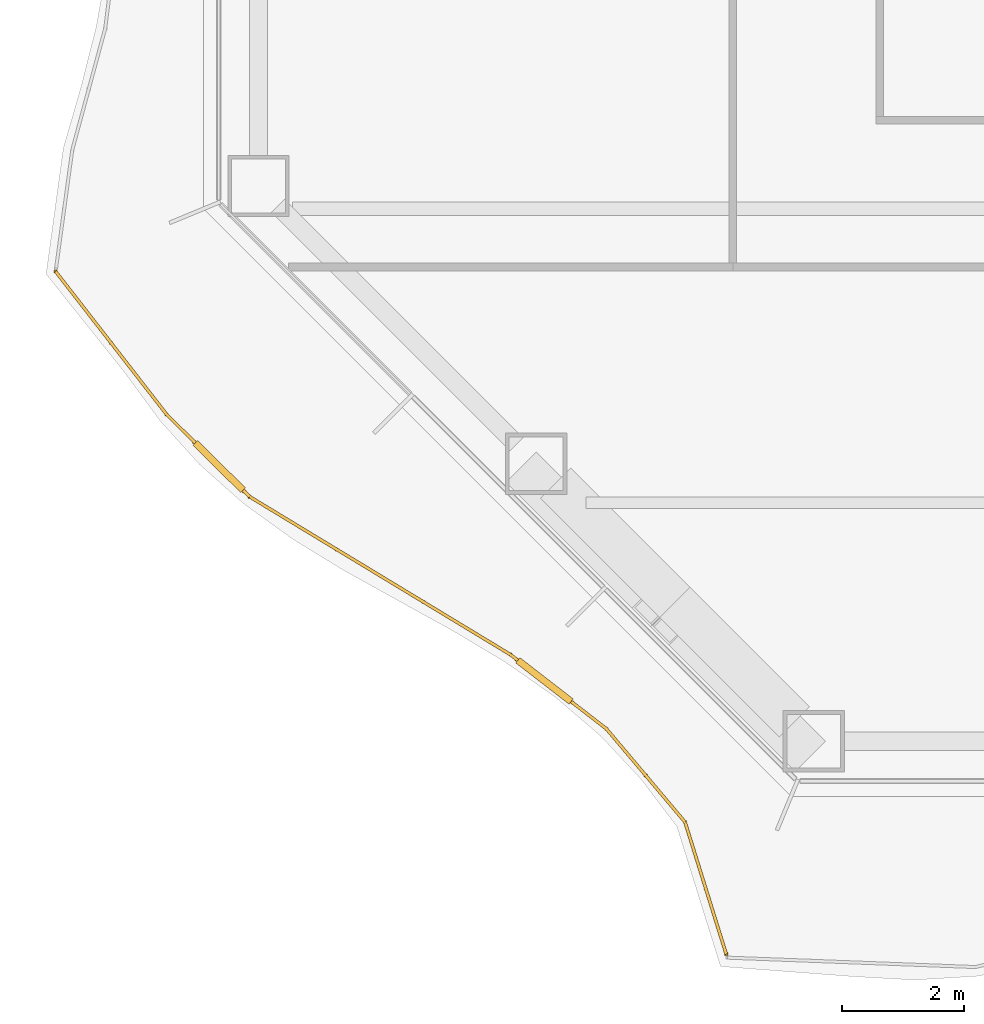
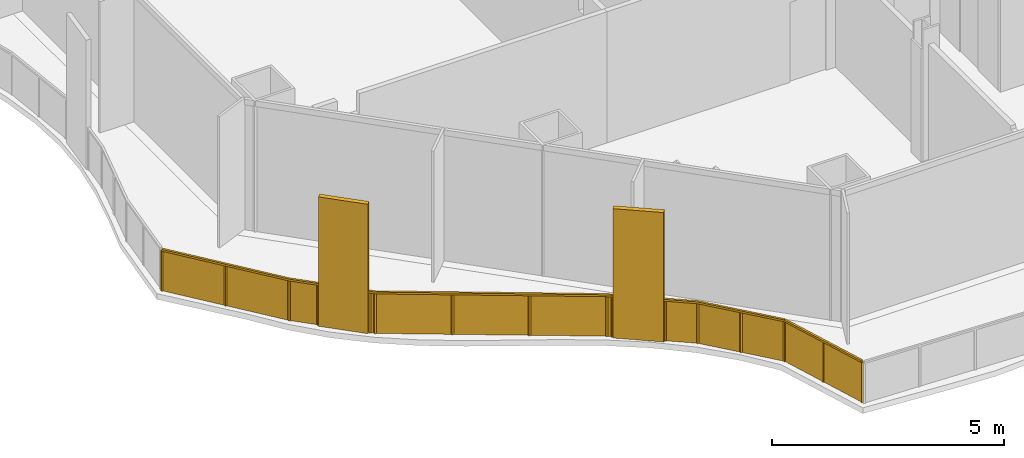
# One storey, part 15 of 21: 1 railing.
"""IFC4 building model written with IfcOpenShell, lengths in metres."""

from ifc_helpers import new_model, si_unit, direction, frame, origin, origin_2d, place, context, subcontext, project, spatial, polyline, rectangle, outline, extrude, material, type_object, element, save


model = new_model("IFC4")

# Units and contexts
model_context = context("Model", 3, precision=1e-05, world=origin(), true_north=direction((0.0, 1.0)))
body_context = subcontext(model_context, "Body", "Model", "MODEL_VIEW")
ifc_project = project(units=[si_unit("LENGTHUNIT", "METRE"), si_unit("AREAUNIT", "SQUARE_METRE"), si_unit("VOLUMEUNIT", "CUBIC_METRE"), si_unit("PLANEANGLEUNIT", "RADIAN"), si_unit("MASSUNIT", "GRAM", prefix="KILO")], contexts=[model_context])

# Site, building, storey
site_placement = place(None, origin())
site = spatial("IfcSite", under=ifc_project, at=site_placement, CompositionType="ELEMENT")
building_placement = place(site_placement, origin())
building = spatial("IfcBuilding", under=site, at=building_placement, Name="Cairn Pilgrim Tower", CompositionType="ELEMENT")
storey_placement = place(building_placement, frame((0.0, 0.0, 47.39990234375)))
storey = spatial("IfcBuildingStorey", under=building, at=storey_placement, Name="L09", CompositionType="ELEMENT", Elevation=47.39990234375)

# Railing
ifc_material = material(Name="Bronze anodised aluminium rail, posts and fin screens with laminated glass infill", Category="aluminium")
railing_type = type_object("IfcRailingType", Name="BALCONY GUARD WITH FIN SCREENS", PredefinedType="GUARDRAIL", material=ifc_material)
railing_placement = place(storey_placement, frame((-31.214599609375, -15.423095703125, 0.0)))
element("IfcRailing", 1, at=railing_placement, inside=storey, type_object=railing_type, Name="Balcony guard BGF-8 with fin screens", PredefinedType="GUARDRAIL", context=body_context, shape_type="SweptSolid", body=[
    extrude(rectangle(XDim=0.050048828125, YDim=0.050048828125, at=origin_2d()), frame((0.0, 0.0, 1.0751953125), z_axis=(0.613133997778, -0.789978924256, 0.0), x_axis=(0.789978924256, 0.613133997778, 0.0)), (0.0, 0.0, 1.0), 2.955810546875),
    extrude(rectangle(XDim=1.10009765625, YDim=0.110107421875, at=origin_2d()), frame((2.673095703125, -3.188232421875, 0.0), z_axis=(0.0, 0.0, 1.0), x_axis=(0.710228338372, -0.703971382496, 0.0)), (0.0, 0.0, 1.0), 3.39990234375),
    extrude(rectangle(XDim=0.050048828125, YDim=0.050048828125, at=origin_2d()), frame((1.812255859375, -2.3349609375, 1.0751953125), z_axis=(0.710228338372, -0.703971382496, 0.0), x_axis=(0.703971382496, 0.710228338372, 0.0)), (0.0, 0.0, 1.0), 0.661865234375),
    extrude(rectangle(XDim=0.050048828125, YDim=0.050048828125, at=origin_2d()), frame((3.063720703125, -3.575439453125, 1.0751953125), z_axis=(0.710228338372, -0.703971382496, 0.0), x_axis=(0.703971382496, 0.710228338372, 0.0)), (0.0, 0.0, 1.0), 0.14990234375),
    extrude(rectangle(XDim=0.050048828125, YDim=0.050048828125, at=origin_2d()), frame((3.170166015625, -3.680908203125, 1.0751953125), z_axis=(0.855437254215, -0.517906462694, 0.0), x_axis=(0.517906462694, 0.855437254215, 0.0)), (0.0, 0.0, 1.0), 4.983642578125),
    extrude(rectangle(XDim=1.10009765625, YDim=0.110107421875, at=origin_2d()), frame((7.987060546875, -6.690185546875, 0.0), z_axis=(0.0, 0.0, 1.0), x_axis=(0.791049005834, -0.611752785338, 0.0)), (0.0, 0.0, 1.0), 3.39990234375),
    extrude(rectangle(XDim=0.050048828125, YDim=0.050048828125, at=origin_2d()), frame((7.433349609375, -6.261962890625, 1.0751953125), z_axis=(0.791049005834, -0.611752785338, 0.0), x_axis=(0.611752785338, 0.791049005834, 0.0)), (0.0, 0.0, 1.0), 0.150146484375),
    extrude(rectangle(XDim=0.050048828125, YDim=0.050048828125, at=origin_2d()), frame((8.42236328125, -7.026611328125, 1.0751953125), z_axis=(0.791049005834, -0.611752785338, 0.0), x_axis=(0.611752785338, 0.791049005834, 0.0)), (0.0, 0.0, 1.0), 0.729736328125),
    extrude(rectangle(XDim=0.050048828125, YDim=0.050048828125, at=origin_2d()), frame((8.99951171875, -7.47314453125, 1.0751953125), z_axis=(0.644524239242, -0.76458387704, 0.0), x_axis=(0.76458387704, 0.644524239242, 0.0)), (0.0, 0.0, 1.0), 1.992919921875),
    extrude(rectangle(XDim=0.050048828125, YDim=0.050048828125, at=origin_2d()), frame((10.283935546875, -8.996826171875, 1.0751953125), z_axis=(0.297758203011, -0.954641321408, 0.0), x_axis=(0.954641321408, 0.297758203011, 0.0)), (0.0, 0.0, 1.0), 2.259765625),
    extrude(rectangle(XDim=0.050048828125, YDim=0.050048828125, at=origin_2d()), origin(), (0.0, 0.0, 1.0), 1.050048828125),
    extrude(rectangle(XDim=0.050048828125, YDim=0.050048828125, at=origin_2d()), frame((0.90625, -1.16748046875, 0.0)), (0.0, 0.0, 1.0), 1.050048828125),
    extrude(rectangle(XDim=0.050048828125, YDim=0.050048828125, at=origin_2d()), frame((1.812255859375, -2.3349609375, 0.0)), (0.0, 0.0, 1.0), 1.050048828125),
    extrude(rectangle(XDim=0.050048828125, YDim=0.050048828125, at=origin_2d()), frame((2.2646484375, -2.783447265625, 0.0)), (0.0, 0.0, 1.0), 1.050048828125),
    extrude(rectangle(XDim=0.050048828125, YDim=0.050048828125, at=origin_2d()), frame((3.08154296875, -3.593017578125, 0.0)), (0.0, 0.0, 1.0), 1.050048828125),
    extrude(rectangle(XDim=0.050048828125, YDim=0.050048828125, at=origin_2d()), frame((3.170166015625, -3.680908203125, 0.0)), (0.0, 0.0, 1.0), 1.050048828125),
    extrude(rectangle(XDim=0.050048828125, YDim=0.050048828125, at=origin_2d()), frame((4.59130859375, -4.541259765625, 0.0)), (0.0, 0.0, 1.0), 1.050048828125),
    extrude(rectangle(XDim=0.050048828125, YDim=0.050048828125, at=origin_2d()), frame((6.01220703125, -5.401611328125, 0.0)), (0.0, 0.0, 1.0), 1.050048828125),
    extrude(rectangle(XDim=0.050048828125, YDim=0.050048828125, at=origin_2d()), frame((7.433349609375, -6.261962890625, 0.0)), (0.0, 0.0, 1.0), 1.050048828125),
    extrude(rectangle(XDim=0.050048828125, YDim=0.050048828125, at=origin_2d()), frame((7.5322265625, -6.33837890625, 0.0)), (0.0, 0.0, 1.0), 1.050048828125),
    extrude(rectangle(XDim=0.050048828125, YDim=0.050048828125, at=origin_2d()), frame((8.442138671875, -7.0419921875, 0.0)), (0.0, 0.0, 1.0), 1.050048828125),
    extrude(rectangle(XDim=0.050048828125, YDim=0.050048828125, at=origin_2d()), frame((8.99951171875, -7.47314453125, 0.0)), (0.0, 0.0, 1.0), 1.050048828125),
    extrude(rectangle(XDim=0.050048828125, YDim=0.050048828125, at=origin_2d()), frame((9.6416015625, -8.23486328125, 0.0)), (0.0, 0.0, 1.0), 1.050048828125),
    extrude(rectangle(XDim=0.050048828125, YDim=0.050048828125, at=origin_2d()), frame((10.283935546875, -8.996826171875, 0.0)), (0.0, 0.0, 1.0), 1.050048828125),
    extrude(rectangle(XDim=0.050048828125, YDim=0.050048828125, at=origin_2d()), frame((10.620361328125, -10.075439453125, 0.0)), (0.0, 0.0, 1.0), 1.050048828125),
    extrude(rectangle(XDim=0.050048828125, YDim=0.050048828125, at=origin_2d()), frame((10.956787109375, -11.154052734375, 0.0)), (0.0, 0.0, 1.0), 1.050048828125),
    extrude(outline(polyline([(0.02490234375, 0.0), (1.452880859375, 0.0), (1.452880859375, 1.050048828125), (0.02490234375, 1.050048828125), (0.02490234375, 0.0)])), frame((0.004638671875, 0.003662109375, 0.0), z_axis=(-0.789978924256, -0.613133997778, 0.0), x_axis=(0.613133997778, -0.789978924256, 0.0)), (0.0, 0.0, 1.0), 0.011962890625),
    extrude(outline(polyline([(0.02490234375, 0.0), (1.452880859375, 0.0), (1.452880859375, 1.050048828125), (0.02490234375, 1.050048828125), (0.02490234375, 0.0)])), frame((0.910888671875, -1.163818359375, 0.0), z_axis=(-0.789978924256, -0.613133997778, 0.0), x_axis=(0.613133997778, -0.789978924256, 0.0)), (0.0, 0.0, 1.0), 0.011962890625),
    extrude(outline(polyline([(0.02490234375, 0.0), (0.61181640625, 0.0), (0.61181640625, 1.050048828125), (0.02490234375, 1.050048828125), (0.02490234375, 0.0)])), frame((1.81640625, -2.330810546875, 0.0), z_axis=(-0.703971382496, -0.710228338372, 0.0), x_axis=(0.710228338372, -0.703971382496, 0.0)), (0.0, 0.0, 1.0), 0.011962890625),
    extrude(outline(polyline([(0.02490234375, 0.0), (0.099853515625, 0.0), (0.099853515625, 1.050048828125), (0.02490234375, 1.050048828125), (0.02490234375, 0.0)])), frame((3.085693359375, -3.588623046875, 0.0), z_axis=(-0.703971382496, -0.710228338372, 0.0), x_axis=(0.710228338372, -0.703971382496, 0.0)), (0.0, 0.0, 1.0), 0.011962890625),
    extrude(outline(polyline([(0.02490234375, 0.0), (1.63623046875, 0.0), (1.63623046875, 1.050048828125), (0.02490234375, 1.050048828125), (0.02490234375, 0.0)])), frame((3.17333984375, -3.67578125, 0.0), z_axis=(-0.517906462694, -0.855437254215, 0.0), x_axis=(0.855437254215, -0.517906462694, 0.0)), (0.0, 0.0, 1.0), 0.011962890625),
    extrude(outline(polyline([(0.02490234375, 0.0), (1.63623046875, 0.0), (1.63623046875, 1.050048828125), (0.02490234375, 1.050048828125), (0.02490234375, 0.0)])), frame((4.59423828125, -4.5361328125, 0.0), z_axis=(-0.517906462694, -0.855437254215, 0.0), x_axis=(0.855437254215, -0.517906462694, 0.0)), (0.0, 0.0, 1.0), 0.011962890625),
    extrude(outline(polyline([(0.02490234375, 0.0), (1.63623046875, 0.0), (1.63623046875, 1.050048828125), (0.02490234375, 1.050048828125), (0.02490234375, 0.0)])), frame((6.015380859375, -5.396484375, 0.0), z_axis=(-0.517906462694, -0.855437254215, 0.0), x_axis=(0.855437254215, -0.517906462694, 0.0)), (0.0, 0.0, 1.0), 0.011962890625),
    extrude(outline(polyline([(0.02490234375, 0.0), (0.10009765625, 0.0), (0.10009765625, 1.050048828125), (0.02490234375, 1.050048828125), (0.02490234375, 0.0)])), frame((7.43701171875, -6.25732421875, 0.0), z_axis=(-0.611752785338, -0.791049005834, 0.0), x_axis=(0.791049005834, -0.611752785338, 0.0)), (0.0, 0.0, 1.0), 0.011962890625),
    extrude(outline(polyline([(0.02490234375, 0.0), (0.6796875, 0.0), (0.6796875, 1.050048828125), (0.02490234375, 1.050048828125), (0.02490234375, 0.0)])), frame((8.44580078125, -7.037353515625, 0.0), z_axis=(-0.611752785338, -0.791049005834, 0.0), x_axis=(0.791049005834, -0.611752785338, 0.0)), (0.0, 0.0, 1.0), 0.011962890625),
    extrude(outline(polyline([(0.02490234375, 0.0), (0.971435546875, 0.0), (0.971435546875, 1.050048828125), (0.02490234375, 1.050048828125), (0.02490234375, 0.0)])), frame((9.004150390625, -7.46923828125, 0.0), z_axis=(-0.76458387704, -0.644524239242, 0.0), x_axis=(0.644524239242, -0.76458387704, 0.0)), (0.0, 0.0, 1.0), 0.011962890625),
    extrude(outline(polyline([(0.02490234375, 0.0), (0.971435546875, 0.0), (0.971435546875, 1.050048828125), (0.02490234375, 1.050048828125), (0.02490234375, 0.0)])), frame((9.646240234375, -8.231201171875, 0.0), z_axis=(-0.76458387704, -0.644524239242, 0.0), x_axis=(0.644524239242, -0.76458387704, 0.0)), (0.0, 0.0, 1.0), 0.011962890625),
    extrude(outline(polyline([(0.02490234375, 0.0), (1.104736328125, 0.0), (1.104736328125, 1.050048828125), (0.02490234375, 1.050048828125), (0.02490234375, 0.0)])), frame((10.28955078125, -8.9951171875, 0.0), z_axis=(-0.954641321408, -0.297758203011, 0.0), x_axis=(0.297758203011, -0.954641321408, 0.0)), (0.0, 0.0, 1.0), 0.011962890625),
    extrude(outline(polyline([(0.02490234375, 0.0), (1.104736328125, 0.0), (1.104736328125, 1.050048828125), (0.02490234375, 1.050048828125), (0.02490234375, 0.0)])), frame((10.6259765625, -10.07373046875, 0.0), z_axis=(-0.954641321408, -0.297758203011, 0.0), x_axis=(0.297758203011, -0.954641321408, 0.0)), (0.0, 0.0, 1.0), 0.011962890625),
])

save(model, "model.ifc")
